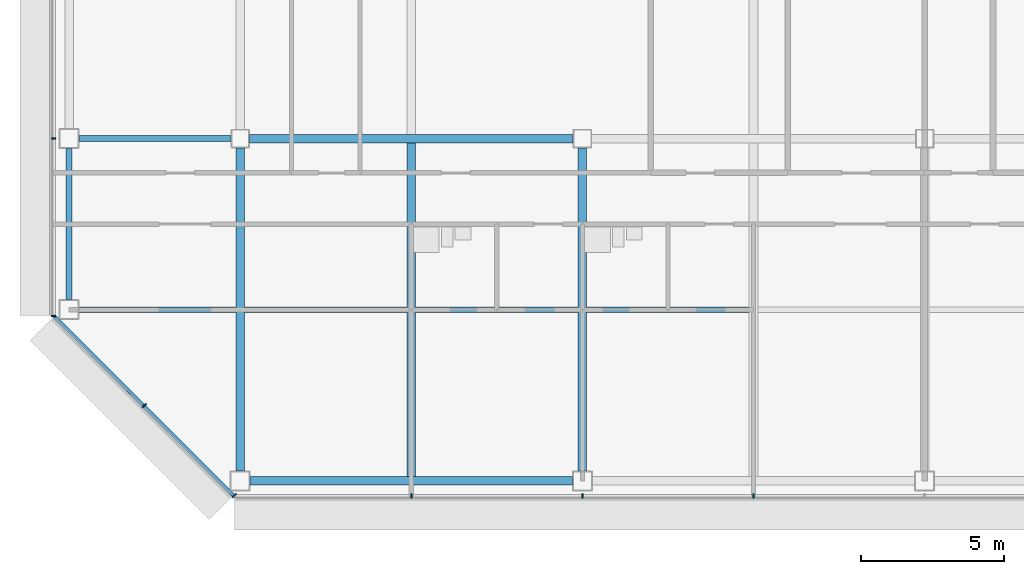
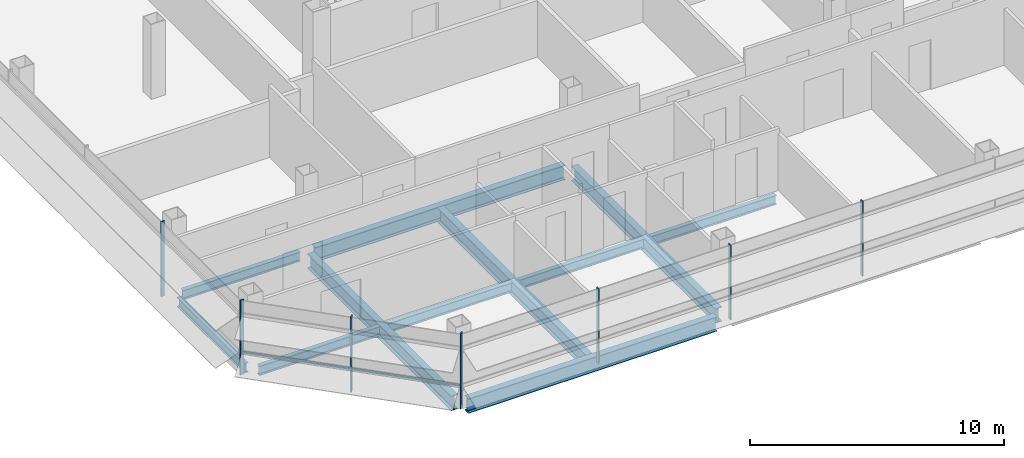
# One storey, part 2 of 26: 11 beams, 8 members, 3 elements without a shape of their own.
"""IFC4 building model written with IfcOpenShell, lengths in metres."""

from ifc_helpers import new_model, si_unit, direction, frame, origin, origin_2d, place, context, subcontext, project, spatial, rectangle, i_section, extrude, material, material_profile, profile_set, type_object, element, aggregate, save


model = new_model("IFC4")

# Units and contexts
model_context = context("Model", 3, precision=1e-05, world=origin(), true_north=direction((0.0, 1.0)))
body_context = subcontext(model_context, "Body", "Model", "MODEL_VIEW")
ifc_project = project(units=[si_unit("LENGTHUNIT", "METRE"), si_unit("AREAUNIT", "SQUARE_METRE"), si_unit("VOLUMEUNIT", "CUBIC_METRE"), si_unit("PLANEANGLEUNIT", "RADIAN"), si_unit("MASSUNIT", "GRAM", prefix="KILO")], contexts=[model_context])

# Site, building, storey
site_placement = place(None, origin())
site = spatial("IfcSite", under=ifc_project, at=site_placement, CompositionType="ELEMENT")
building_placement = place(site_placement, origin())
building = spatial("IfcBuilding", under=site, at=building_placement, Name="Sorahane Residences", CompositionType="ELEMENT")
storey_placement = place(building_placement, frame((0.0, 0.0, 154.60009765625)))
storey = spatial("IfcBuildingStorey", under=building, at=storey_placement, Name="L35", CompositionType="ELEMENT", Elevation=154.60009765625)

# Curtain wall, members
ifc_material_1 = material(Name="Dark low-e glass and black anodised aluminium", Category="aluminium")
curtain_wall_type_1 = type_object("IfcCurtainWallType", Name="Curtain wall CW-1 Typical unitised wall", PredefinedType="NOTDEFINED", material=ifc_material_1)
curtain_wall_1_placement = place(storey_placement, origin())
curtain_wall_1 = element("IfcCurtainWall", 1, at=curtain_wall_1_placement, inside=storey, type_object=curtain_wall_type_1, Name="CW-1 curtain wall L35 S1", PredefinedType="NOTDEFINED")
ifc_material_2 = material(Name="Black anodised aluminium", Category="aluminium")
ifc_material_profile_1 = material_profile(ifc_material_2, rectangle(XDim=0.159912109375, YDim=0.050048828125, at=origin_2d()), Name="Curtain wall mullion CW-1 black anodised aluminium 50x160")
ifc_profile_set_1 = profile_set([ifc_material_profile_1], Name="Black anodised aluminium")
member_type_1 = type_object("IfcMemberType", Name="Curtain wall mullion CW-1 black anodised aluminium 50x160", PredefinedType="MULLION", material=ifc_profile_set_1)
member_1_placement = place(storey_placement, frame((6.0, -0.5400390625, -0.18017578125), z_axis=(0.0, 0.0, 1.0), x_axis=(0.0, -1.0, 0.0)))
member_1 = element("IfcMember", 2, at=member_1_placement, type_object=member_type_1, Name="CW-1 mullion L35 S1.2", PredefinedType="MULLION", context=body_context, shape_type="SweptSolid", body=[
    extrude(rectangle(XDim=0.159912109375, YDim=0.050048828125, at=origin_2d()), origin(), (0.0, 0.0, 1.0), 3.60009765625),
])
member_2_placement = place(storey_placement, frame((12.0, -0.5400390625, -0.18017578125), z_axis=(0.0, 0.0, 1.0), x_axis=(0.0, -1.0, 0.0)))
member_2 = element("IfcMember", 3, at=member_2_placement, type_object=member_type_1, Name="CW-1 mullion L35 S1.3", PredefinedType="MULLION", context=body_context, shape_type="SweptSolid", body=[
    extrude(rectangle(XDim=0.159912109375, YDim=0.050048828125, at=origin_2d()), origin(), (0.0, 0.0, 1.0), 3.60009765625),
])
member_3_placement = place(storey_placement, frame((18.0, -0.5400390625, -0.18017578125), z_axis=(0.0, 0.0, 1.0), x_axis=(0.0, -1.0, 0.0)))
member_3 = element("IfcMember", 4, at=member_3_placement, type_object=member_type_1, Name="CW-1 mullion L35 S1.4", PredefinedType="MULLION", context=body_context, shape_type="SweptSolid", body=[
    extrude(rectangle(XDim=0.159912109375, YDim=0.050048828125, at=origin_2d()), origin(), (0.0, 0.0, 1.0), 3.60009765625),
])
aggregate(curtain_wall_1, [member_1, member_2, member_3])

curtain_wall_2_placement = place(storey_placement, origin())
curtain_wall_2 = element("IfcCurtainWall", 5, at=curtain_wall_2_placement, inside=storey, type_object=curtain_wall_type_1, Name="CW-1 curtain wall L35 W1", PredefinedType="NOTDEFINED")
member_4_placement = place(storey_placement, frame((-6.5400390625, 12.0, -0.18017578125), z_axis=(0.0, 0.0, 1.0), x_axis=(-1.0, 0.0, 0.0)))
member_4 = element("IfcMember", 6, at=member_4_placement, type_object=member_type_1, Name="CW-1 mullion L35 W1.6", PredefinedType="MULLION", context=body_context, shape_type="SweptSolid", body=[
    extrude(rectangle(XDim=0.159912109375, YDim=0.050048828125, at=origin_2d()), origin(), (0.0, 0.0, 1.0), 3.60009765625),
])
member_5_placement = place(storey_placement, frame((-6.5400390625, 5.7763671875, -0.18017578125), z_axis=(0.0, 0.0, 1.0), x_axis=(-1.0, 0.0, 0.0)))
member_5 = element("IfcMember", 7, at=member_5_placement, type_object=member_type_1, Name="CW-1 mullion L35 W1.7", PredefinedType="MULLION", context=body_context, shape_type="SweptSolid", body=[
    extrude(rectangle(XDim=0.159912109375, YDim=0.050048828125, at=origin_2d()), origin(), (0.0, 0.0, 1.0), 3.60009765625),
])
aggregate(curtain_wall_2, [member_4, member_5])

ifc_material_3 = material(Name="Dark low-e glass and black anodised aluminium", Category="aluminium")
curtain_wall_type_2 = type_object("IfcCurtainWallType", Name="Curtain wall CW-2 Chamfer unitised wall", PredefinedType="NOTDEFINED", material=ifc_material_3)
curtain_wall_3_placement = place(storey_placement, origin())
curtain_wall_3 = element("IfcCurtainWall", 8, at=curtain_wall_3_placement, inside=storey, type_object=curtain_wall_type_2, Name="CW-2 curtain wall L35 SW1", PredefinedType="NOTDEFINED")
ifc_material_4 = material(Name="Black anodised aluminium", Category="aluminium")
ifc_material_profile_2 = material_profile(ifc_material_4, rectangle(XDim=0.199951171875, YDim=0.050048828125, at=origin_2d()), Name="Curtain wall mullion CW-2 black anodised aluminium 50x200")
ifc_profile_set_2 = profile_set([ifc_material_profile_2], Name="Black anodised aluminium")
member_type_2 = type_object("IfcMemberType", Name="Curtain wall mullion CW-2 black anodised aluminium 50x200", PredefinedType="MULLION", material=ifc_profile_set_2)
member_6_placement = place(storey_placement, frame((-3.36767578125, 2.63232421875, -0.18017578125), z_axis=(0.0, 0.0, 1.0), x_axis=(-0.707106781187, -0.707106781187, 0.0)))
member_6 = element("IfcMember", 9, at=member_6_placement, type_object=member_type_2, Name="CW-2 mullion L35 SW1.2", PredefinedType="MULLION", context=body_context, shape_type="SweptSolid", body=[
    extrude(rectangle(XDim=0.199951171875, YDim=0.050048828125, at=origin_2d()), origin(), (0.0, 0.0, 1.0), 3.60009765625),
])
member_7_placement = place(storey_placement, frame((-0.209716796875, -0.525634765625, -0.18017578125), z_axis=(0.0, 0.0, 1.0), x_axis=(-0.707106781187, -0.707106781187, 0.0)))
member_7 = element("IfcMember", 10, at=member_7_placement, type_object=member_type_2, Name="CW-2 mullion L35 SW1.3", PredefinedType="MULLION", context=body_context, shape_type="SweptSolid", body=[
    extrude(rectangle(XDim=0.199951171875, YDim=0.050048828125, at=origin_2d()), origin(), (0.0, 0.0, 1.0), 3.60009765625),
])
ifc_material_5 = material(Name="Black anodised aluminium", Category="aluminium")
ifc_material_profile_3 = material_profile(ifc_material_5, rectangle(XDim=0.10009765625, YDim=0.06005859375, at=origin_2d()), Name="Curtain wall transom CW-2 black anodised aluminium 60x100")
ifc_profile_set_3 = profile_set([ifc_material_profile_3], Name="Black anodised aluminium")
member_type_3 = type_object("IfcMemberType", Name="Curtain wall transom CW-2 black anodised aluminium 60x100", PredefinedType="USERDEFINED", material=ifc_profile_set_3)
member_8_placement = place(storey_placement, frame((-6.51513671875, 5.765625, 0.89990234375), z_axis=(0.707106781187, -0.707106781187, 0.0), x_axis=(0.707106781187, 0.707106781187, 0.0)))
member_8 = element("IfcMember", 11, at=member_8_placement, type_object=member_type_3, Name="CW-2 transom L35 SW1", ObjectType="TRANSOM", PredefinedType="USERDEFINED", context=body_context, shape_type="SweptSolid", body=[
    extrude(rectangle(XDim=0.10009765625, YDim=0.06005859375, at=origin_2d()), origin(), (0.0, 0.0, 1.0), 8.88232421875),
])
aggregate(curtain_wall_3, [member_6, member_7, member_8])

# Beams
ifc_material_6 = material(Name="Steel Q355B", Category="steel")
ifc_material_profile_4 = material_profile(ifc_material_6, i_section(OverallWidth=0.199951171875, OverallDepth=0.449951171875, WebThickness=0.009033203125, FlangeThickness=0.013916015625, FilletRadius=0.02001953125, at=origin_2d()), Name="HN 450x200x9x14")
ifc_profile_set_4 = profile_set([ifc_material_profile_4], Name="Steel Q355B")
beam_type_1 = type_object("IfcBeamType", Name="Steel floor beam HN 450x200x9x14 Q355B", PredefinedType="BEAM", material=ifc_profile_set_4)
beam_1_placement = place(storey_placement, frame((-5.64990234375, 12.0, -0.405029296875), z_axis=(1.0, 0.0, 0.0), x_axis=(0.0, 1.0, 0.0)))
element("IfcBeam", 12, at=beam_1_placement, inside=storey, type_object=beam_type_1, Name="Beam L35 005", PredefinedType="BEAM", context=body_context, shape_type="SweptSolid", body=[
    extrude(i_section(OverallWidth=0.199951171875, OverallDepth=0.449951171875, WebThickness=0.009033203125, FlangeThickness=0.013916015625, FilletRadius=0.02001953125, at=origin_2d()), origin(), (0.0, 0.0, 1.0), 5.324951171875),
])
beam_2_placement = place(storey_placement, frame((-6.0, 6.35009765625, -0.405029296875), z_axis=(0.0, 1.0, 0.0), x_axis=(-1.0, 0.0, 0.0)))
element("IfcBeam", 13, at=beam_2_placement, inside=storey, type_object=beam_type_1, Name="Beam L35 020", PredefinedType="BEAM", context=body_context, shape_type="SweptSolid", body=[
    extrude(i_section(OverallWidth=0.199951171875, OverallDepth=0.449951171875, WebThickness=0.009033203125, FlangeThickness=0.013916015625, FilletRadius=0.02001953125, at=origin_2d()), origin(), (0.0, 0.0, 1.0), 5.2998046875),
])
beam_3_placement = place(storey_placement, frame((-5.64990234375, 6.0, -0.405029296875), z_axis=(1.0, 0.0, 0.0), x_axis=(0.0, 1.0, 0.0)))
element("IfcBeam", 14, at=beam_3_placement, inside=storey, type_object=beam_type_1, Name="Beam L35 068", PredefinedType="BEAM", context=body_context, shape_type="SweptSolid", body=[
    extrude(i_section(OverallWidth=0.199951171875, OverallDepth=0.449951171875, WebThickness=0.009033203125, FlangeThickness=0.013916015625, FilletRadius=0.02001953125, at=origin_2d()), origin(), (0.0, 0.0, 1.0), 5.5),
])
for number, where, z_axis, x_axis, name in (
    (15, (0.14990234375, 6.0, -0.405029296875), (1.0, 0.0, 0.0), (0.0, 1.0, 0.0), "Beam L35 069"),
    (16, (6.14990234375, 6.0, -0.405029296875), (1.0, 0.0, 0.0), (0.0, 1.0, 0.0), "Beam L35 070"),
    (17, (12.14990234375, 6.0, -0.405029296875), (1.0, 0.0, 0.0), (0.0, 1.0, 0.0), "Beam L35 071"),
):
    element("IfcBeam", number, at=place(storey_placement, frame(where, z_axis=z_axis, x_axis=x_axis)), inside=storey, type_object=beam_type_1, Name=name, PredefinedType="BEAM", context=body_context, shape_type="SweptSolid", body=[
        extrude(i_section(OverallWidth=0.199951171875, OverallDepth=0.449951171875, WebThickness=0.009033203125, FlangeThickness=0.013916015625, FilletRadius=0.02001953125, at=origin_2d()), origin(), (0.0, 0.0, 1.0), 5.7001953125),
    ])
ifc_material_7 = material(Name="Steel Q355B", Category="steel")
ifc_material_profile_5 = material_profile(ifc_material_7, i_section(OverallWidth=0.300048828125, OverallDepth=0.699951171875, WebThickness=0.012939453125, FlangeThickness=0.02392578125, FilletRadius=0.028076171875, at=origin_2d()), Name="HN 700x300x13x24")
ifc_profile_set_5 = profile_set([ifc_material_profile_5], Name="Steel Q355B")
beam_type_2 = type_object("IfcBeamType", Name="Steel floor beam HN 700x300x13x24 Q355B", PredefinedType="BEAM", material=ifc_profile_set_5)
beam_4_placement = place(storey_placement, frame((0.35009765625, 0.0, -0.530029296875), z_axis=(1.0, 0.0, 0.0), x_axis=(0.0, 1.0, 0.0)))
element("IfcBeam", 18, at=beam_4_placement, inside=storey, type_object=beam_type_2, Name="Beam L35 000", PredefinedType="BEAM", context=body_context, shape_type="SweptSolid", body=[
    extrude(i_section(OverallWidth=0.300048828125, OverallDepth=0.699951171875, WebThickness=0.012939453125, FlangeThickness=0.02392578125, FilletRadius=0.028076171875, at=origin_2d()), origin(), (0.0, 0.0, 1.0), 11.2998046875),
])
beam_5_placement = place(storey_placement, frame((0.324951171875, 12.0, -0.530029296875), z_axis=(1.0, 0.0, 0.0), x_axis=(0.0, 1.0, 0.0)))
element("IfcBeam", 19, at=beam_5_placement, inside=storey, type_object=beam_type_2, Name="Beam L35 006", PredefinedType="BEAM", context=body_context, shape_type="SweptSolid", body=[
    extrude(i_section(OverallWidth=0.300048828125, OverallDepth=0.699951171875, WebThickness=0.012939453125, FlangeThickness=0.02392578125, FilletRadius=0.028076171875, at=origin_2d()), origin(), (0.0, 0.0, 1.0), 11.35009765625),
])
beam_6_placement = place(storey_placement, frame((0.0, 0.35009765625, -0.530029296875), z_axis=(0.0, 1.0, 0.0), x_axis=(-1.0, 0.0, 0.0)))
element("IfcBeam", 20, at=beam_6_placement, inside=storey, type_object=beam_type_2, Name="Beam L35 024", PredefinedType="BEAM", context=body_context, shape_type="SweptSolid", body=[
    extrude(i_section(OverallWidth=0.300048828125, OverallDepth=0.699951171875, WebThickness=0.012939453125, FlangeThickness=0.02392578125, FilletRadius=0.028076171875, at=origin_2d()), origin(), (0.0, 0.0, 1.0), 11.324951171875),
])
beam_7_placement = place(storey_placement, frame((6.0, 0.14990234375, -0.530029296875), z_axis=(0.0, 1.0, 0.0), x_axis=(-1.0, 0.0, 0.0)))
element("IfcBeam", 21, at=beam_7_placement, inside=storey, type_object=beam_type_2, Name="Beam L35 028", PredefinedType="BEAM", context=body_context, shape_type="SweptSolid", body=[
    extrude(i_section(OverallWidth=0.300048828125, OverallDepth=0.699951171875, WebThickness=0.012939453125, FlangeThickness=0.02392578125, FilletRadius=0.028076171875, at=origin_2d()), origin(), (0.0, 0.0, 1.0), 11.7001953125),
])
beam_8_placement = place(storey_placement, frame((12.0, 0.35009765625, -0.530029296875), z_axis=(0.0, 1.0, 0.0), x_axis=(-1.0, 0.0, 0.0)))
element("IfcBeam", 22, at=beam_8_placement, inside=storey, type_object=beam_type_2, Name="Beam L35 034", PredefinedType="BEAM", context=body_context, shape_type="SweptSolid", body=[
    extrude(i_section(OverallWidth=0.300048828125, OverallDepth=0.699951171875, WebThickness=0.012939453125, FlangeThickness=0.02392578125, FilletRadius=0.028076171875, at=origin_2d()), origin(), (0.0, 0.0, 1.0), 11.324951171875),
])

save(model, "model.ifc")
